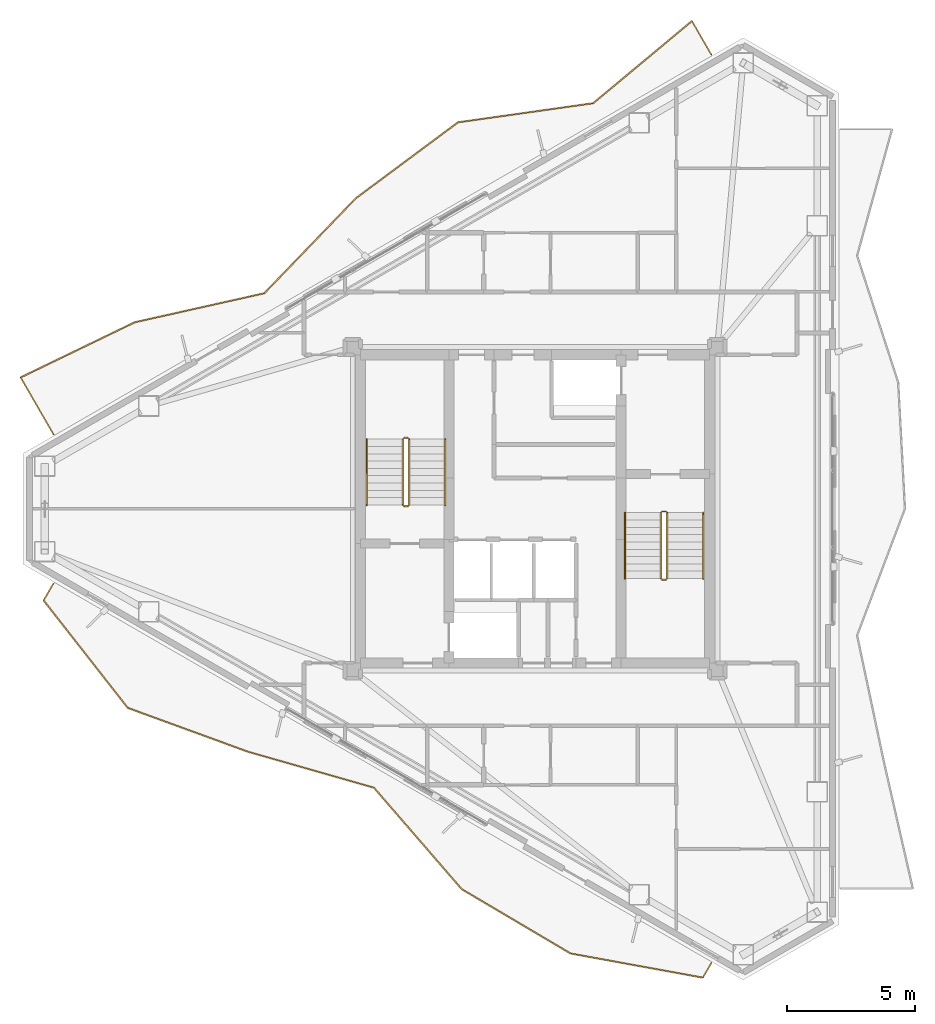
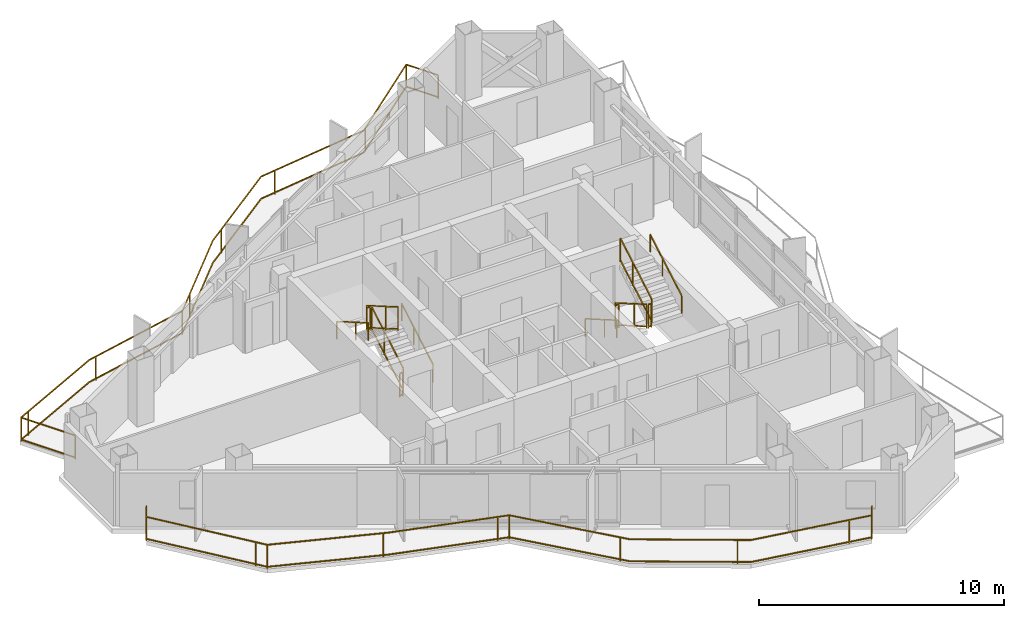
# One storey, part 21 of 22: 14 railings.
"""IFC4 building model written with IfcOpenShell, lengths in metres."""

from ifc_helpers import new_model, si_unit, direction, frame, origin, origin_2d, place, context, subcontext, project, spatial, rectangle, extrude, material, type_object, element, save


model = new_model("IFC4")

# Units and contexts
model_context = context("Model", 3, precision=1e-05, world=origin(), true_north=direction((0.0, 1.0)))
body_context = subcontext(model_context, "Body", "Model", "MODEL_VIEW")
ifc_project = project(units=[si_unit("LENGTHUNIT", "METRE"), si_unit("AREAUNIT", "SQUARE_METRE"), si_unit("VOLUMEUNIT", "CUBIC_METRE"), si_unit("PLANEANGLEUNIT", "RADIAN"), si_unit("MASSUNIT", "GRAM", prefix="KILO")], contexts=[model_context])

# Site, building, storey
site_placement = place(None, origin())
site = spatial("IfcSite", under=ifc_project, at=site_placement, CompositionType="ELEMENT")
building_placement = place(site_placement, origin())
building = spatial("IfcBuilding", under=site, at=building_placement, Name="Mersakhor Tower and Convention Hall", CompositionType="ELEMENT")
storey_placement = place(building_placement, frame((0.0, 0.0, 205.199951171875)))
storey = spatial("IfcBuildingStorey", under=building, at=storey_placement, Name="L57", CompositionType="ELEMENT", Elevation=205.199951171875)

# Railings
ifc_material_1 = material(Name="Powder-coated galvanised steel and laminated glass balustrade", Category="steel")
railing_type_1 = type_object("IfcRailingType", Name="RL-BAL-1200", PredefinedType="BALUSTRADE", material=ifc_material_1)
railing_1_placement = place(storey_placement, frame((35.86669921875, 44.44189453125, 0.0)))
element("IfcRailing", 1, at=railing_1_placement, inside=storey, type_object=railing_type_1, Name="L57 Sinusoidal Balcony Balustrade F1", PredefinedType="BALUSTRADE", context=body_context, shape_type="SweptSolid", body=[
    extrude(rectangle(XDim=0.048095703125, YDim=0.048095703125, at=origin_2d()), frame((0.0, 0.0, 1.17578125), z_axis=(-0.499980071345, 0.866036909293, 0.0), x_axis=(-0.866036909293, -0.499980071345, 0.0)), (0.0, 0.0, 1.0), 1.50390625),
    extrude(rectangle(XDim=0.048095703125, YDim=0.048095703125, at=origin_2d()), frame((0.0, 0.0, 0.080078125), z_axis=(-0.499980071345, 0.866036909293, 0.0), x_axis=(-0.866036909293, -0.499980071345, 0.0)), (0.0, 0.0, 1.0), 1.50390625),
    extrude(rectangle(XDim=0.048095703125, YDim=0.048095703125, at=origin_2d()), frame((-0.751953125, 1.302490234375, 1.17578125), z_axis=(-0.768641056762, -0.639680330994, 0.0), x_axis=(0.639680330994, -0.768641056762, 0.0)), (0.0, 0.0, 1.0), 5.003662109375),
    extrude(rectangle(XDim=0.048095703125, YDim=0.048095703125, at=origin_2d()), frame((-0.751953125, 1.302490234375, 0.080078125), z_axis=(-0.768641056762, -0.639680330994, 0.0), x_axis=(0.639680330994, -0.768641056762, 0.0)), (0.0, 0.0, 1.0), 5.003662109375),
    extrude(rectangle(XDim=0.048095703125, YDim=0.048095703125, at=origin_2d()), frame((-4.597900390625, -1.898193359375, 1.17578125), z_axis=(-0.990175973678, -0.139826825574, 0.0), x_axis=(0.139826825574, -0.990175973678, 0.0)), (0.0, 0.0, 1.0), 5.316650390625),
    extrude(rectangle(XDim=0.048095703125, YDim=0.048095703125, at=origin_2d()), frame((-4.597900390625, -1.898193359375, 0.080078125), z_axis=(-0.990175973678, -0.139826825574, 0.0), x_axis=(0.139826825574, -0.990175973678, 0.0)), (0.0, 0.0, 1.0), 5.316650390625),
    extrude(rectangle(XDim=0.048095703125, YDim=0.048095703125, at=origin_2d()), frame((-9.8623046875, -2.6416015625, 1.17578125), z_axis=(-0.802554115899, -0.596579325031, 0.0), x_axis=(0.596579325031, -0.802554115899, 0.0)), (0.0, 0.0, 1.0), 4.964111328125),
    extrude(rectangle(XDim=0.048095703125, YDim=0.048095703125, at=origin_2d()), frame((-9.8623046875, -2.6416015625, 0.080078125), z_axis=(-0.802554115899, -0.596579325031, 0.0), x_axis=(0.596579325031, -0.802554115899, 0.0)), (0.0, 0.0, 1.0), 4.964111328125),
    extrude(rectangle(XDim=0.048095703125, YDim=0.048095703125, at=origin_2d()), frame((-13.84619140625, -5.60302734375, 1.17578125), z_axis=(-0.693756877058, -0.720209272041, 0.0), x_axis=(0.720209272041, -0.693756877058, 0.0)), (0.0, 0.0, 1.0), 5.131591796875),
    extrude(rectangle(XDim=0.048095703125, YDim=0.048095703125, at=origin_2d()), frame((-13.84619140625, -5.60302734375, 0.080078125), z_axis=(-0.693756877058, -0.720209272041, 0.0), x_axis=(0.720209272041, -0.693756877058, 0.0)), (0.0, 0.0, 1.0), 5.131591796875),
    extrude(rectangle(XDim=0.048095703125, YDim=0.048095703125, at=origin_2d()), frame((-17.40625, -9.298828125, 1.17578125), z_axis=(-0.975836674345, -0.218501224259, 0.0), x_axis=(0.218501224259, -0.975836674345, 0.0)), (0.0, 0.0, 1.0), 5.16650390625),
    extrude(rectangle(XDim=0.048095703125, YDim=0.048095703125, at=origin_2d()), frame((-17.40625, -9.298828125, 0.080078125), z_axis=(-0.975836674345, -0.218501224259, 0.0), x_axis=(0.218501224259, -0.975836674345, 0.0)), (0.0, 0.0, 1.0), 5.16650390625),
    extrude(rectangle(XDim=0.048095703125, YDim=0.048095703125, at=origin_2d()), frame((-22.447998046875, -10.427734375, 1.17578125), z_axis=(-0.900350887465, -0.435164657849, 0.0), x_axis=(0.435164657849, -0.900350887465, 0.0)), (0.0, 0.0, 1.0), 4.9443359375),
    extrude(rectangle(XDim=0.048095703125, YDim=0.048095703125, at=origin_2d()), frame((-22.447998046875, -10.427734375, 0.080078125), z_axis=(-0.900350887465, -0.435164657849, 0.0), x_axis=(0.435164657849, -0.900350887465, 0.0)), (0.0, 0.0, 1.0), 4.9443359375),
    extrude(rectangle(XDim=0.048095703125, YDim=0.048095703125, at=origin_2d()), frame((-26.899658203125, -12.579345703125, 1.17578125), z_axis=(0.500022914263, -0.866012173824, 0.0), x_axis=(0.866012173824, 0.500022914263, 0.0)), (0.0, 0.0, 1.0), 2.5556640625),
    extrude(rectangle(XDim=0.048095703125, YDim=0.048095703125, at=origin_2d()), frame((-26.899658203125, -12.579345703125, 0.080078125), z_axis=(0.500022914263, -0.866012173824, 0.0), x_axis=(0.866012173824, 0.500022914263, 0.0)), (0.0, 0.0, 1.0), 2.5556640625),
    extrude(rectangle(XDim=0.0419921875, YDim=0.0419921875, at=origin_2d()), origin(), (0.0, 0.0, 1.0), 1.15185546875),
    extrude(rectangle(XDim=0.0419921875, YDim=0.0419921875, at=origin_2d()), frame((-0.751953125, 1.302490234375, 0.0)), (0.0, 0.0, 1.0), 1.15185546875),
    extrude(rectangle(XDim=0.0419921875, YDim=0.0419921875, at=origin_2d()), frame((-4.44140625, -1.76806640625, 0.0)), (0.0, 0.0, 1.0), 1.15185546875),
    extrude(rectangle(XDim=0.0419921875, YDim=0.0419921875, at=origin_2d()), frame((-9.149169921875, -2.541015625, 0.0)), (0.0, 0.0, 1.0), 1.15185546875),
    extrude(rectangle(XDim=0.0419921875, YDim=0.0419921875, at=origin_2d()), frame((-13.136474609375, -5.075439453125, 0.0)), (0.0, 0.0, 1.0), 1.15185546875),
    extrude(rectangle(XDim=0.0419921875, YDim=0.0419921875, at=origin_2d()), frame((-16.562744140625, -8.423095703125, 0.0)), (0.0, 0.0, 1.0), 1.15185546875),
    extrude(rectangle(XDim=0.0419921875, YDim=0.0419921875, at=origin_2d()), frame((-17.40625, -9.298828125, 0.0)), (0.0, 0.0, 1.0), 1.15185546875),
    extrude(rectangle(XDim=0.0419921875, YDim=0.0419921875, at=origin_2d()), frame((-22.09033203125, -10.34765625, 0.0)), (0.0, 0.0, 1.0), 1.15185546875),
    extrude(rectangle(XDim=0.0419921875, YDim=0.0419921875, at=origin_2d()), frame((-26.439697265625, -12.35693359375, 0.0)), (0.0, 0.0, 1.0), 1.15185546875),
    extrude(rectangle(XDim=0.0419921875, YDim=0.0419921875, at=origin_2d()), frame((-26.899658203125, -12.579345703125, 0.0)), (0.0, 0.0, 1.0), 1.15185546875),
    extrude(rectangle(XDim=0.0419921875, YDim=0.0419921875, at=origin_2d()), frame((-25.621826171875, -14.79248046875, 0.0)), (0.0, 0.0, 1.0), 1.15185546875),
])
railing_2_placement = place(storey_placement, frame((10.244873046875, 23.8505859375, 0.0)))
element("IfcRailing", 2, at=railing_2_placement, inside=storey, type_object=railing_type_1, Name="L57 Sinusoidal Balcony Balustrade F3", PredefinedType="BALUSTRADE", context=body_context, shape_type="SweptSolid", body=[
    extrude(rectangle(XDim=0.048095703125, YDim=0.048095703125, at=origin_2d()), frame((0.0, 0.0, 1.17578125), z_axis=(-0.500229669523, -0.865892763412, 0.0), x_axis=(0.865892763412, -0.500229669523, 0.0)), (0.0, 0.0, 1.0), 0.763916015625),
    extrude(rectangle(XDim=0.048095703125, YDim=0.048095703125, at=origin_2d()), frame((0.0, 0.0, 0.080078125), z_axis=(-0.500229669523, -0.865892763412, 0.0), x_axis=(0.865892763412, -0.500229669523, 0.0)), (0.0, 0.0, 1.0), 0.763916015625),
    extrude(rectangle(XDim=0.048095703125, YDim=0.048095703125, at=origin_2d()), frame((-0.382080078125, -0.661376953125, 1.17578125), z_axis=(0.616411029096, -0.787424563504, 0.0), x_axis=(0.787424563504, 0.616411029096, 0.0)), (0.0, 0.0, 1.0), 5.31640625),
    extrude(rectangle(XDim=0.048095703125, YDim=0.048095703125, at=origin_2d()), frame((-0.382080078125, -0.661376953125, 0.080078125), z_axis=(0.616411029096, -0.787424563504, 0.0), x_axis=(0.787424563504, 0.616411029096, 0.0)), (0.0, 0.0, 1.0), 5.31640625),
    extrude(rectangle(XDim=0.048095703125, YDim=0.048095703125, at=origin_2d()), frame((2.89501953125, -4.84765625, 1.17578125), z_axis=(0.939471224446, -0.342627813286, 0.0), x_axis=(0.342627813286, 0.939471224446, 0.0)), (0.0, 0.0, 1.0), 5.00634765625),
    extrude(rectangle(XDim=0.048095703125, YDim=0.048095703125, at=origin_2d()), frame((2.89501953125, -4.84765625, 0.080078125), z_axis=(0.939471224446, -0.342627813286, 0.0), x_axis=(0.342627813286, 0.939471224446, 0.0)), (0.0, 0.0, 1.0), 5.00634765625),
    extrude(rectangle(XDim=0.048095703125, YDim=0.048095703125, at=origin_2d()), frame((7.598388671875, -6.56298828125, 1.17578125), z_axis=(0.961533009574, -0.274689409149, 0.0), x_axis=(0.274689409149, 0.961533009574, 0.0)), (0.0, 0.0, 1.0), 5.0830078125),
    extrude(rectangle(XDim=0.048095703125, YDim=0.048095703125, at=origin_2d()), frame((7.598388671875, -6.56298828125, 0.080078125), z_axis=(0.961533009574, -0.274689409149, 0.0), x_axis=(0.274689409149, 0.961533009574, 0.0)), (0.0, 0.0, 1.0), 5.0830078125),
    extrude(rectangle(XDim=0.048095703125, YDim=0.048095703125, at=origin_2d()), frame((12.48583984375, -7.959228515625, 1.17578125), z_axis=(0.654278495045, -0.756253694816, 0.0), x_axis=(0.756253694816, 0.654278495045, 0.0)), (0.0, 0.0, 1.0), 5.21923828125),
    extrude(rectangle(XDim=0.048095703125, YDim=0.048095703125, at=origin_2d()), frame((12.48583984375, -7.959228515625, 0.080078125), z_axis=(0.654278495045, -0.756253694816, 0.0), x_axis=(0.756253694816, 0.654278495045, 0.0)), (0.0, 0.0, 1.0), 5.21923828125),
    extrude(rectangle(XDim=0.048095703125, YDim=0.048095703125, at=origin_2d()), frame((15.900634765625, -11.90625, 1.17578125), z_axis=(0.860967922172, -0.508659254307, 0.0), x_axis=(0.508659254307, 0.860967922172, 0.0)), (0.0, 0.0, 1.0), 4.93115234375),
    extrude(rectangle(XDim=0.048095703125, YDim=0.048095703125, at=origin_2d()), frame((15.900634765625, -11.90625, 0.080078125), z_axis=(0.860967922172, -0.508659254307, 0.0), x_axis=(0.508659254307, 0.860967922172, 0.0)), (0.0, 0.0, 1.0), 4.93115234375),
    extrude(rectangle(XDim=0.048095703125, YDim=0.048095703125, at=origin_2d()), frame((20.146240234375, -14.41455078125, 1.17578125), z_axis=(0.983720356805, -0.179706036646, 0.0), x_axis=(0.179706036646, 0.983720356805, 0.0)), (0.0, 0.0, 1.0), 5.23583984375),
    extrude(rectangle(XDim=0.048095703125, YDim=0.048095703125, at=origin_2d()), frame((20.146240234375, -14.41455078125, 0.080078125), z_axis=(0.983720356805, -0.179706036646, 0.0), x_axis=(0.179706036646, 0.983720356805, 0.0)), (0.0, 0.0, 1.0), 5.23583984375),
    extrude(rectangle(XDim=0.048095703125, YDim=0.048095703125, at=origin_2d()), frame((25.296875, -15.35546875, 1.17578125), z_axis=(0.49989585183, 0.866085525409, 0.0), x_axis=(-0.866085525409, 0.49989585183, 0.0)), (0.0, 0.0, 1.0), 0.650146484375),
    extrude(rectangle(XDim=0.048095703125, YDim=0.048095703125, at=origin_2d()), frame((25.296875, -15.35546875, 0.080078125), z_axis=(0.49989585183, 0.866085525409, 0.0), x_axis=(-0.866085525409, 0.49989585183, 0.0)), (0.0, 0.0, 1.0), 0.650146484375),
    extrude(rectangle(XDim=0.0419921875, YDim=0.0419921875, at=origin_2d()), origin(), (0.0, 0.0, 1.0), 1.15185546875),
    extrude(rectangle(XDim=0.0419921875, YDim=0.0419921875, at=origin_2d()), frame((-0.382080078125, -0.661376953125, 0.0)), (0.0, 0.0, 1.0), 1.15185546875),
    extrude(rectangle(XDim=0.0419921875, YDim=0.0419921875, at=origin_2d()), frame((2.57666015625, -4.44091796875, 0.0)), (0.0, 0.0, 1.0), 1.15185546875),
    extrude(rectangle(XDim=0.0419921875, YDim=0.0419921875, at=origin_2d()), frame((2.89501953125, -4.84765625, 0.0)), (0.0, 0.0, 1.0), 1.15185546875),
    extrude(rectangle(XDim=0.0419921875, YDim=0.0419921875, at=origin_2d()), frame((7.404541015625, -6.4921875, 0.0)), (0.0, 0.0, 1.0), 1.15185546875),
    extrude(rectangle(XDim=0.0419921875, YDim=0.0419921875, at=origin_2d()), frame((12.015380859375, -7.82470703125, 0.0)), (0.0, 0.0, 1.0), 1.15185546875),
    extrude(rectangle(XDim=0.0419921875, YDim=0.0419921875, at=origin_2d()), frame((12.48583984375, -7.959228515625, 0.0)), (0.0, 0.0, 1.0), 1.15185546875),
    extrude(rectangle(XDim=0.0419921875, YDim=0.0419921875, at=origin_2d()), frame((15.62646484375, -11.58935546875, 0.0)), (0.0, 0.0, 1.0), 1.15185546875),
    extrude(rectangle(XDim=0.0419921875, YDim=0.0419921875, at=origin_2d()), frame((19.67236328125, -14.134521484375, 0.0)), (0.0, 0.0, 1.0), 1.15185546875),
    extrude(rectangle(XDim=0.0419921875, YDim=0.0419921875, at=origin_2d()), frame((24.32666015625, -15.17822265625, 0.0)), (0.0, 0.0, 1.0), 1.15185546875),
    extrude(rectangle(XDim=0.0419921875, YDim=0.0419921875, at=origin_2d()), frame((25.296875, -15.35546875, 0.0)), (0.0, 0.0, 1.0), 1.15185546875),
    extrude(rectangle(XDim=0.0419921875, YDim=0.0419921875, at=origin_2d()), frame((25.621826171875, -14.79248046875, 0.0)), (0.0, 0.0, 1.0), 1.15185546875),
])
ifc_material_2 = material(Name="Brushed stainless steel handrail", Category="steel")
railing_type_2 = type_object("IfcRailingType", Name="RL-HR-900", PredefinedType="HANDRAIL", material=ifc_material_2)
railing_3_placement = place(storey_placement, frame((25.5, 26.89990234375, 0.1650390625)))
element("IfcRailing", 3, at=railing_3_placement, inside=storey, type_object=railing_type_2, Name="L57 ST-1 stair handrail 1", PredefinedType="HANDRAIL", context=body_context, shape_type="SweptSolid", body=[
    extrude(rectangle(XDim=0.048095703125, YDim=0.048095703125, at=origin_2d()), frame((0.0, 0.0, 0.8759765625), z_axis=(0.0, 0.865426285481, 0.501036270542), x_axis=(-1.0, 0.0, 0.0)), (0.0, 0.0, 1.0), 2.964111328125),
    extrude(rectangle(XDim=0.0419921875, YDim=0.0419921875, at=origin_2d()), origin(), (0.0, 0.0, 1.0), 0.851806640625),
    extrude(rectangle(XDim=0.0419921875, YDim=0.0419921875, at=origin_2d()), frame((0.0, 1.557861328125, 0.90185546875)), (0.0, 0.0, 1.0), 0.851806640625),
    extrude(rectangle(XDim=0.0419921875, YDim=0.0419921875, at=origin_2d()), frame((0.0, 2.565185546875, 1.485107421875)), (0.0, 0.0, 1.0), 0.851806640625),
])
for number, where, name in (
    (4, (22.449951171875, 29.465087890625, 1.81494140625), "L57 ST-1 stair handrail 2"),
    (5, (32.5, 26.60009765625, 0.1650390625), "L57 ST-2 stair handrail 1"),
):
    element("IfcRailing", number, at=place(storey_placement, frame(where)), inside=storey, type_object=railing_type_2, Name=name, PredefinedType="HANDRAIL", context=body_context, shape_type="SweptSolid", body=[
        extrude(rectangle(XDim=0.048095703125, YDim=0.048095703125, at=origin_2d()), frame((0.0, 0.0, 0.8759765625), z_axis=(0.0, -0.865426285481, 0.501036270542), x_axis=(1.0, 0.0, 0.0)), (0.0, 0.0, 1.0), 2.964111328125),
        extrude(rectangle(XDim=0.0419921875, YDim=0.0419921875, at=origin_2d()), origin(), (0.0, 0.0, 1.0), 0.851806640625),
        extrude(rectangle(XDim=0.0419921875, YDim=0.0419921875, at=origin_2d()), frame((0.0, -1.557861328125, 0.90185546875)), (0.0, 0.0, 1.0), 0.851806640625),
        extrude(rectangle(XDim=0.0419921875, YDim=0.0419921875, at=origin_2d()), frame((0.0, -2.565185546875, 1.485107421875)), (0.0, 0.0, 1.0), 0.851806640625),
    ])
railing_4_placement = place(storey_placement, frame((35.550048828125, 24.034912109375, 1.81494140625)))
element("IfcRailing", 6, at=railing_4_placement, inside=storey, type_object=railing_type_2, Name="L57 ST-2 stair handrail 2", PredefinedType="HANDRAIL", context=body_context, shape_type="SweptSolid", body=[
    extrude(rectangle(XDim=0.048095703125, YDim=0.048095703125, at=origin_2d()), frame((0.0, 0.0, 0.8759765625), z_axis=(0.0, 0.865426285481, 0.501036270542), x_axis=(-1.0, 0.0, 0.0)), (0.0, 0.0, 1.0), 2.964111328125),
    extrude(rectangle(XDim=0.0419921875, YDim=0.0419921875, at=origin_2d()), origin(), (0.0, 0.0, 1.0), 0.851806640625),
    extrude(rectangle(XDim=0.0419921875, YDim=0.0419921875, at=origin_2d()), frame((0.0, 1.557861328125, 0.90185546875)), (0.0, 0.0, 1.0), 0.851806640625),
    extrude(rectangle(XDim=0.0419921875, YDim=0.0419921875, at=origin_2d()), frame((0.0, 2.565185546875, 1.485107421875)), (0.0, 0.0, 1.0), 0.851806640625),
])
ifc_material_3 = material(Name="Painted steel stair balustrade S355", Category="steel")
railing_type_3 = type_object("IfcRailingType", Name="RL-STG-1200", PredefinedType="BALUSTRADE", material=ifc_material_3)
railing_5_placement = place(storey_placement, frame((24.10009765625, 26.89990234375, 0.1650390625)))
element("IfcRailing", 7, at=railing_5_placement, inside=storey, type_object=railing_type_3, Name="L57 ST-1 stair guard 1", PredefinedType="BALUSTRADE", context=body_context, shape_type="SweptSolid", body=[
    extrude(rectangle(XDim=0.048095703125, YDim=0.048095703125, at=origin_2d()), frame((0.0, 0.0, 1.17578125), z_axis=(0.0, 0.865426285481, 0.501036270542), x_axis=(-1.0, 0.0, 0.0)), (0.0, 0.0, 1.0), 2.964111328125),
    extrude(rectangle(XDim=0.048095703125, YDim=0.048095703125, at=origin_2d()), frame((0.0, 0.0, 0.080078125), z_axis=(0.0, 0.865426285481, 0.501036270542), x_axis=(-1.0, 0.0, 0.0)), (0.0, 0.0, 1.0), 2.964111328125),
    extrude(rectangle(XDim=0.0419921875, YDim=0.0419921875, at=origin_2d()), origin(), (0.0, 0.0, 1.0), 1.15185546875),
    extrude(rectangle(XDim=0.0419921875, YDim=0.0419921875, at=origin_2d()), frame((0.0, 1.557861328125, 0.90185546875)), (0.0, 0.0, 1.0), 1.15185546875),
    extrude(rectangle(XDim=0.0419921875, YDim=0.0419921875, at=origin_2d()), frame((0.0, 2.565185546875, 1.485107421875)), (0.0, 0.0, 1.0), 1.15185546875),
])
railing_6_placement = place(storey_placement, frame((24.050048828125, 29.514892578125, 1.650146484375)))
element("IfcRailing", 8, at=railing_6_placement, inside=storey, type_object=railing_type_3, Name="L57 ST-1 stair guard 2", PredefinedType="BALUSTRADE", context=body_context, shape_type="SweptSolid", body=[
    extrude(rectangle(XDim=0.048095703125, YDim=0.048095703125, at=origin_2d()), frame((0.0, 0.0, 1.17578125), z_axis=(-1.0, 0.0, 0.0), x_axis=(0.0, -1.0, 0.0)), (0.0, 0.0, 1.0), 0.150146484375),
    extrude(rectangle(XDim=0.048095703125, YDim=0.048095703125, at=origin_2d()), frame((0.0, 0.0, 0.080078125), z_axis=(-1.0, 0.0, 0.0), x_axis=(0.0, -1.0, 0.0)), (0.0, 0.0, 1.0), 0.150146484375),
    extrude(rectangle(XDim=0.0419921875, YDim=0.0419921875, at=origin_2d()), origin(), (0.0, 0.0, 1.0), 1.15185546875),
    extrude(rectangle(XDim=0.0419921875, YDim=0.0419921875, at=origin_2d()), frame((-0.150146484375, 0.0, 0.0)), (0.0, 0.0, 1.0), 1.15185546875),
])
railing_7_placement = place(storey_placement, frame((23.85009765625, 29.465087890625, 1.81494140625)))
element("IfcRailing", 9, at=railing_7_placement, inside=storey, type_object=railing_type_3, Name="L57 ST-1 stair guard 3", PredefinedType="BALUSTRADE", context=body_context, shape_type="SweptSolid", body=[
    extrude(rectangle(XDim=0.048095703125, YDim=0.048095703125, at=origin_2d()), frame((0.0, 0.0, 1.17578125), z_axis=(0.0, -0.865426285481, 0.501036270542), x_axis=(1.0, 0.0, 0.0)), (0.0, 0.0, 1.0), 2.964111328125),
    extrude(rectangle(XDim=0.048095703125, YDim=0.048095703125, at=origin_2d()), frame((0.0, 0.0, 0.080078125), z_axis=(0.0, -0.865426285481, 0.501036270542), x_axis=(1.0, 0.0, 0.0)), (0.0, 0.0, 1.0), 2.964111328125),
    extrude(rectangle(XDim=0.0419921875, YDim=0.0419921875, at=origin_2d()), origin(), (0.0, 0.0, 1.0), 1.15185546875),
    extrude(rectangle(XDim=0.0419921875, YDim=0.0419921875, at=origin_2d()), frame((0.0, -1.557861328125, 0.90185546875)), (0.0, 0.0, 1.0), 1.15185546875),
    extrude(rectangle(XDim=0.0419921875, YDim=0.0419921875, at=origin_2d()), frame((0.0, -2.565185546875, 1.485107421875)), (0.0, 0.0, 1.0), 1.15185546875),
])
railing_8_placement = place(storey_placement, frame((24.050048828125, 26.85009765625, 0.0)))
element("IfcRailing", 10, at=railing_8_placement, inside=storey, type_object=railing_type_3, Name="L57 ST-1 stair guard 4", PredefinedType="BALUSTRADE", context=body_context, shape_type="SweptSolid", body=[
    extrude(rectangle(XDim=0.048095703125, YDim=0.048095703125, at=origin_2d()), frame((0.0, 0.0, 1.17578125), z_axis=(-1.0, 0.0, 0.0), x_axis=(0.0, -1.0, 0.0)), (0.0, 0.0, 1.0), 0.150146484375),
    extrude(rectangle(XDim=0.048095703125, YDim=0.048095703125, at=origin_2d()), frame((0.0, 0.0, 0.080078125), z_axis=(-1.0, 0.0, 0.0), x_axis=(0.0, -1.0, 0.0)), (0.0, 0.0, 1.0), 0.150146484375),
    extrude(rectangle(XDim=0.0419921875, YDim=0.0419921875, at=origin_2d()), origin(), (0.0, 0.0, 1.0), 1.15185546875),
    extrude(rectangle(XDim=0.0419921875, YDim=0.0419921875, at=origin_2d()), frame((-0.150146484375, 0.0, 0.0)), (0.0, 0.0, 1.0), 1.15185546875),
])
railing_9_placement = place(storey_placement, frame((33.89990234375, 26.60009765625, 0.1650390625)))
element("IfcRailing", 11, at=railing_9_placement, inside=storey, type_object=railing_type_3, Name="L57 ST-2 stair guard 1", PredefinedType="BALUSTRADE", context=body_context, shape_type="SweptSolid", body=[
    extrude(rectangle(XDim=0.048095703125, YDim=0.048095703125, at=origin_2d()), frame((0.0, 0.0, 1.17578125), z_axis=(0.0, -0.865426285481, 0.501036270542), x_axis=(1.0, 0.0, 0.0)), (0.0, 0.0, 1.0), 2.964111328125),
    extrude(rectangle(XDim=0.048095703125, YDim=0.048095703125, at=origin_2d()), frame((0.0, 0.0, 0.080078125), z_axis=(0.0, -0.865426285481, 0.501036270542), x_axis=(1.0, 0.0, 0.0)), (0.0, 0.0, 1.0), 2.964111328125),
    extrude(rectangle(XDim=0.0419921875, YDim=0.0419921875, at=origin_2d()), origin(), (0.0, 0.0, 1.0), 1.15185546875),
    extrude(rectangle(XDim=0.0419921875, YDim=0.0419921875, at=origin_2d()), frame((0.0, -1.557861328125, 0.90185546875)), (0.0, 0.0, 1.0), 1.15185546875),
    extrude(rectangle(XDim=0.0419921875, YDim=0.0419921875, at=origin_2d()), frame((0.0, -2.565185546875, 1.485107421875)), (0.0, 0.0, 1.0), 1.15185546875),
])
railing_10_placement = place(storey_placement, frame((33.949951171875, 23.985107421875, 1.650146484375)))
element("IfcRailing", 12, at=railing_10_placement, inside=storey, type_object=railing_type_3, Name="L57 ST-2 stair guard 2", PredefinedType="BALUSTRADE", context=body_context, shape_type="SweptSolid", body=[
    extrude(rectangle(XDim=0.048095703125, YDim=0.048095703125, at=origin_2d()), frame((0.0, 0.0, 1.17578125), z_axis=(1.0, 0.0, 0.0), x_axis=(0.0, 1.0, 0.0)), (0.0, 0.0, 1.0), 0.150146484375),
    extrude(rectangle(XDim=0.048095703125, YDim=0.048095703125, at=origin_2d()), frame((0.0, 0.0, 0.080078125), z_axis=(1.0, 0.0, 0.0), x_axis=(0.0, 1.0, 0.0)), (0.0, 0.0, 1.0), 0.150146484375),
    extrude(rectangle(XDim=0.0419921875, YDim=0.0419921875, at=origin_2d()), origin(), (0.0, 0.0, 1.0), 1.15185546875),
    extrude(rectangle(XDim=0.0419921875, YDim=0.0419921875, at=origin_2d()), frame((0.150146484375, 0.0, 0.0)), (0.0, 0.0, 1.0), 1.15185546875),
])
railing_11_placement = place(storey_placement, frame((34.14990234375, 24.034912109375, 1.81494140625)))
element("IfcRailing", 13, at=railing_11_placement, inside=storey, type_object=railing_type_3, Name="L57 ST-2 stair guard 3", PredefinedType="BALUSTRADE", context=body_context, shape_type="SweptSolid", body=[
    extrude(rectangle(XDim=0.048095703125, YDim=0.048095703125, at=origin_2d()), frame((0.0, 0.0, 1.17578125), z_axis=(0.0, 0.865426285481, 0.501036270542), x_axis=(-1.0, 0.0, 0.0)), (0.0, 0.0, 1.0), 2.964111328125),
    extrude(rectangle(XDim=0.048095703125, YDim=0.048095703125, at=origin_2d()), frame((0.0, 0.0, 0.080078125), z_axis=(0.0, 0.865426285481, 0.501036270542), x_axis=(-1.0, 0.0, 0.0)), (0.0, 0.0, 1.0), 2.964111328125),
    extrude(rectangle(XDim=0.0419921875, YDim=0.0419921875, at=origin_2d()), origin(), (0.0, 0.0, 1.0), 1.15185546875),
    extrude(rectangle(XDim=0.0419921875, YDim=0.0419921875, at=origin_2d()), frame((0.0, 1.557861328125, 0.90185546875)), (0.0, 0.0, 1.0), 1.15185546875),
    extrude(rectangle(XDim=0.0419921875, YDim=0.0419921875, at=origin_2d()), frame((0.0, 2.565185546875, 1.485107421875)), (0.0, 0.0, 1.0), 1.15185546875),
])
railing_12_placement = place(storey_placement, frame((33.949951171875, 26.64990234375, 0.0)))
element("IfcRailing", 14, at=railing_12_placement, inside=storey, type_object=railing_type_3, Name="L57 ST-2 stair guard 4", PredefinedType="BALUSTRADE", context=body_context, shape_type="SweptSolid", body=[
    extrude(rectangle(XDim=0.048095703125, YDim=0.048095703125, at=origin_2d()), frame((0.0, 0.0, 1.17578125), z_axis=(1.0, 0.0, 0.0), x_axis=(0.0, 1.0, 0.0)), (0.0, 0.0, 1.0), 0.150146484375),
    extrude(rectangle(XDim=0.048095703125, YDim=0.048095703125, at=origin_2d()), frame((0.0, 0.0, 0.080078125), z_axis=(1.0, 0.0, 0.0), x_axis=(0.0, 1.0, 0.0)), (0.0, 0.0, 1.0), 0.150146484375),
    extrude(rectangle(XDim=0.0419921875, YDim=0.0419921875, at=origin_2d()), origin(), (0.0, 0.0, 1.0), 1.15185546875),
    extrude(rectangle(XDim=0.0419921875, YDim=0.0419921875, at=origin_2d()), frame((0.150146484375, 0.0, 0.0)), (0.0, 0.0, 1.0), 1.15185546875),
])

save(model, "model.ifc")
